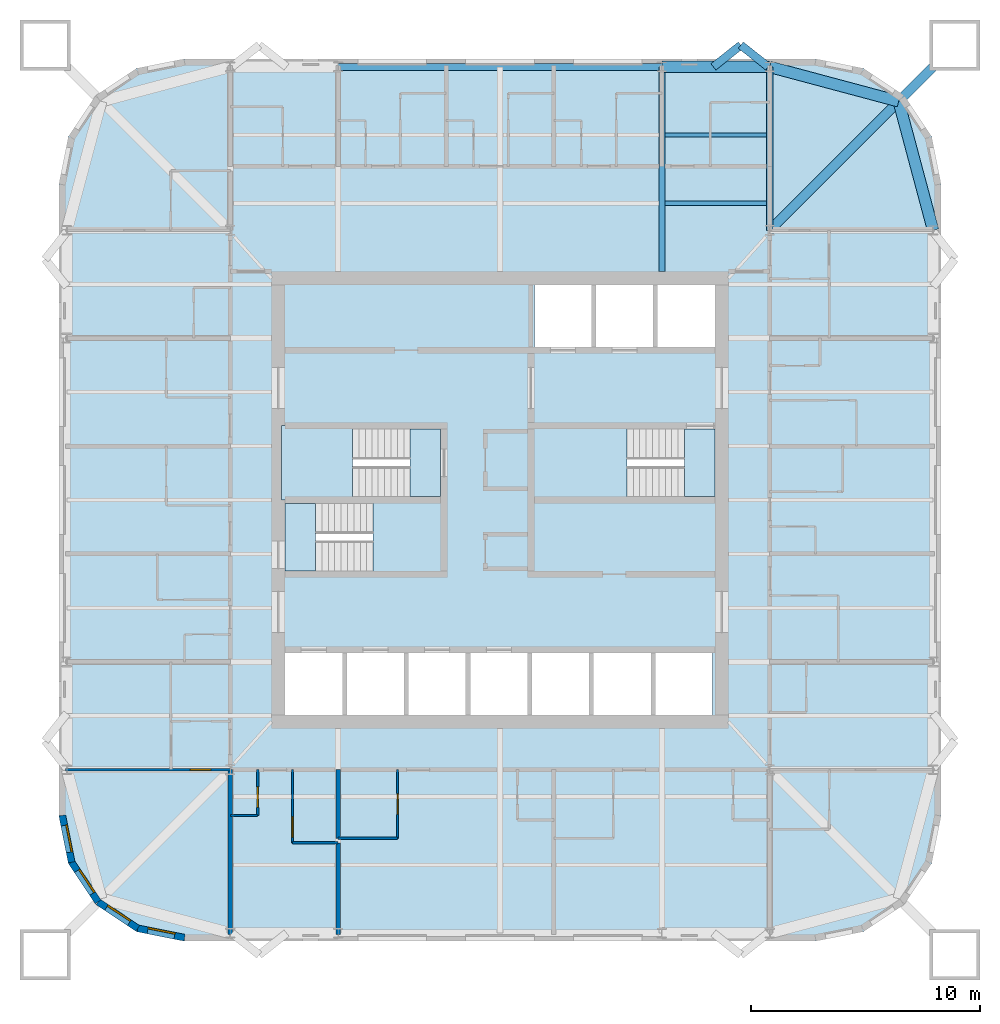
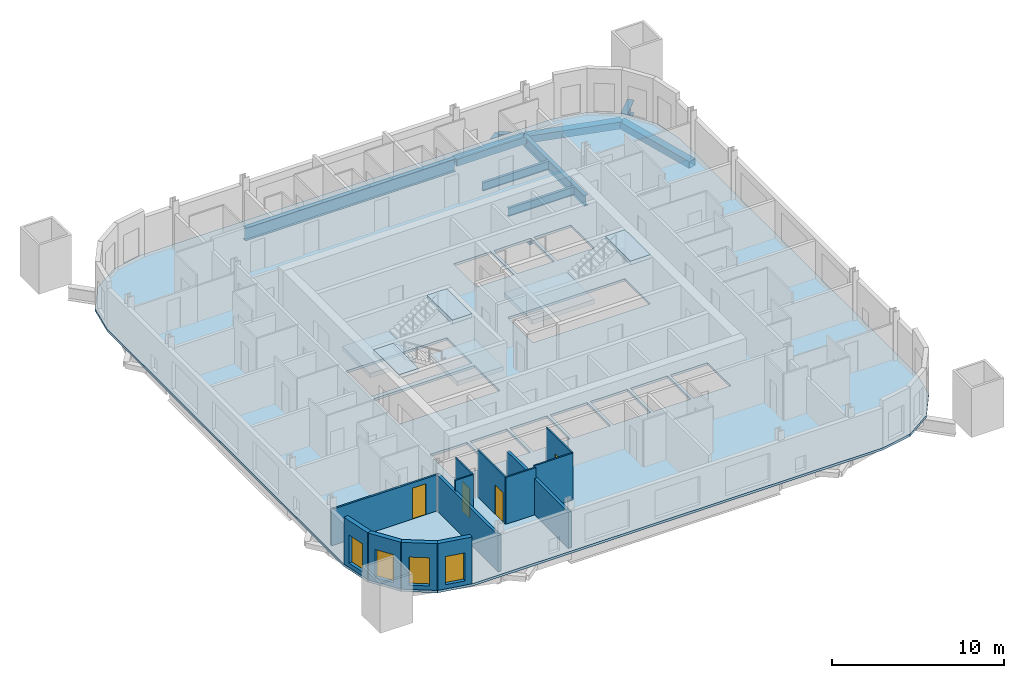
# One storey, part 2 of 9: 14 walls, 11 beams, 7 slabs, 4 doors, 4 windows, 8 openings, 3 elements without a shape of their own.
"""IFC4 building model written with IfcOpenShell, lengths in metres."""

import ifcopenshell
import ifcopenshell.guid

model = None  # the IFC model being written
_history = None  # IfcOwnerHistory: only IFC2X3 demands one
_inside = {}  # id of a spatial element -> (the spatial element, [elements in it])
_under = {}  # id of a project, library or spatial element -> (it, [spatial elements below it])
_declared = {}  # id of a project -> (the project, [libraries it declares])
_typed = {}  # id of a type object -> (the type object, [elements of that type])
_made_of = {}  # id of a material, layer set ... -> (it, [elements and type objects made of it])


def new_model(schema):
    """Start an empty IFC model of exactly this schema.

    Asked for "IFC4X3", IfcOpenShell would pick the latest addendum, in which some entities
    have other attributes; the version numbers below select the first issue.
    IFC2X3 requires an IfcOwnerHistory on every rooted entity: one is made here for all.
    """
    global model, _history
    if schema == "IFC4X3":
        model = ifcopenshell.file(schema_version=(4, 3, 0, 0))
    else:
        model = ifcopenshell.file(schema=schema)
    _inside.clear()
    _under.clear()
    _declared.clear()
    _typed.clear()
    _made_of.clear()
    _history = None
    if model.schema == "IFC2X3":
        org = make("IfcOrganization", Name="unknown")
        user = make(
            "IfcPersonAndOrganization",
            ThePerson=make("IfcPerson", FamilyName="unknown"),
            TheOrganization=org,
        )
        app = make(
            "IfcApplication",
            ApplicationDeveloper=org,
            Version="unknown",
            ApplicationFullName="unknown",
            ApplicationIdentifier="unknown",
        )
        _history = make(
            "IfcOwnerHistory",
            OwningUser=user,
            OwningApplication=app,
            ChangeAction="ADDED",
            CreationDate=0,
        )
    return model


def make(cls, **values):
    """One entity of the class cls with the attributes given. An attribute that is None is left unset."""
    return model.create_entity(
        cls, **{name: value for name, value in values.items() if value is not None}
    )


def rooted(cls, **values):
    """An entity with a GlobalId (a new one), such as an element, a storey or a relation."""
    return make(cls, GlobalId=ifcopenshell.guid.new(), OwnerHistory=_history, **values)


def si_unit(unit_type, name, prefix=None):
    """IfcSIUnit, for example si_unit("LENGTHUNIT", "METRE", prefix="MILLI")."""
    return make("IfcSIUnit", UnitType=unit_type, Prefix=prefix, Name=name)


def assignment(units):
    """IfcUnitAssignment: the units of a project."""
    return None if units is None else make("IfcUnitAssignment", Units=units)


def point(xyz):
    """IfcCartesianPoint."""
    return None if xyz is None else make("IfcCartesianPoint", Coordinates=xyz)


def direction(xyz):
    """IfcDirection."""
    return None if xyz is None else make("IfcDirection", DirectionRatios=xyz)


def frame(location, z_axis=None, x_axis=None):
    """IfcAxis2Placement3D, a coordinate frame: its origin and axes. An axis left out is left unset."""
    return make(
        "IfcAxis2Placement3D",
        Location=point(location),
        Axis=direction(z_axis),
        RefDirection=direction(x_axis),
    )


def frame_2d(location, x_axis=None):
    """IfcAxis2Placement2D, a coordinate frame in the plane: its origin and x axis."""
    return make(
        "IfcAxis2Placement2D", Location=point(location), RefDirection=direction(x_axis)
    )


def origin():
    """The frame at (0, 0, 0) with its axes left unset."""
    return frame((0.0, 0.0, 0.0))


def origin_2d():
    """The frame at (0, 0) in the plane with its x axis left unset."""
    return frame_2d((0.0, 0.0))


def place(relative_to, where):
    """IfcLocalPlacement: puts the frame where relative to a parent placement (None: the world)."""
    return make(
        "IfcLocalPlacement", PlacementRelTo=relative_to, RelativePlacement=where
    )


def context(
    kind, dimensions, precision=None, world=None, true_north=None, identifier=None
):
    """IfcGeometricRepresentationContext, for example the 3D "Model" context."""
    return make(
        "IfcGeometricRepresentationContext",
        ContextIdentifier=identifier,
        ContextType=kind,
        CoordinateSpaceDimension=dimensions,
        Precision=precision,
        WorldCoordinateSystem=world,
        TrueNorth=true_north,
    )


def subcontext(parent, identifier, kind, view, scale=None):
    """IfcGeometricRepresentationSubContext, for example "Body" below "Model"."""
    return make(
        "IfcGeometricRepresentationSubContext",
        ContextIdentifier=identifier,
        ContextType=kind,
        ParentContext=parent,
        TargetScale=scale,
        TargetView=view,
    )


def project(units=None, contexts=None):
    """IfcProject with its units and contexts."""
    return rooted(
        "IfcProject",
        Name="project",
        RepresentationContexts=contexts,
        UnitsInContext=assignment(units),
    )


def spatial(cls, under=None, at=None, **own):
    """A site, building, storey or space (cls), placed at a placement, below another one or the project."""
    s = rooted(cls, ObjectPlacement=at, **own)
    if under is not None:
        _under.setdefault(under.id(), (under, []))[1].append(s)
    return s


def polyline(points):
    """IfcPolyline through the points."""
    return make("IfcPolyline", Points=[point(p) for p in points])


def profile(cls, at=None, kind="AREA", **sizes):
    """A parametric profile (cls). Its sizes go by their IFC names, for example OverallWidth=200.0."""
    return make(cls, ProfileType=kind, Position=at, **sizes)


def rectangle(**sizes):
    """IfcRectangleProfileDef."""
    return profile("IfcRectangleProfileDef", **sizes)


def hollow_rectangle(**sizes):
    """IfcRectangleHollowProfileDef."""
    return profile("IfcRectangleHollowProfileDef", **sizes)


def i_section(**sizes):
    """IfcIShapeProfileDef."""
    return profile("IfcIShapeProfileDef", **sizes)


def outline(outer, holes=None, kind="AREA"):
    """IfcArbitraryClosedProfileDef: a profile drawn as a closed curve; with holes, ...WithVoids."""
    if holes is None:
        return make("IfcArbitraryClosedProfileDef", ProfileType=kind, OuterCurve=outer)
    return make(
        "IfcArbitraryProfileDefWithVoids",
        ProfileType=kind,
        OuterCurve=outer,
        InnerCurves=holes,
    )


def extrude(swept, where, along, depth):
    """IfcExtrudedAreaSolid: the profile swept, set in the frame where, extruded along a direction by depth."""
    return make(
        "IfcExtrudedAreaSolid",
        SweptArea=swept,
        Position=where,
        ExtrudedDirection=direction(along),
        Depth=depth,
    )


def shape(context_of_items, identifier, shape_type, items):
    """IfcShapeRepresentation: the items that make up one representation, for example the "Body"."""
    return make(
        "IfcShapeRepresentation",
        ContextOfItems=context_of_items,
        RepresentationIdentifier=identifier,
        RepresentationType=shape_type,
        Items=items,
    )


def material(Name=None, Category=None):
    """IfcMaterial."""
    return make("IfcMaterial", Name=Name, Category=Category)


def layer(
    of_material, thickness, ventilated=None, Name=None, Category=None, Priority=None
):
    """IfcMaterialLayer: one layer of a wall or slab, of a material (None: an air gap)."""
    return make(
        "IfcMaterialLayer",
        Material=of_material,
        LayerThickness=thickness,
        IsVentilated=ventilated,
        Name=Name,
        Category=Category,
        Priority=Priority,
    )


def layer_set(layers, Name=None):
    """IfcMaterialLayerSet."""
    return make("IfcMaterialLayerSet", MaterialLayers=layers, LayerSetName=Name)


def material_profile(
    of_material, cross_section, Name=None, Category=None, Priority=None
):
    """IfcMaterialProfile: a cross section and its material."""
    return make(
        "IfcMaterialProfile",
        Name=Name,
        Material=of_material,
        Profile=cross_section,
        Priority=Priority,
        Category=Category,
    )


def profile_set(profiles, Name=None, composite=None):
    """IfcMaterialProfileSet."""
    return make(
        "IfcMaterialProfileSet",
        Name=Name,
        MaterialProfiles=profiles,
        CompositeProfile=composite,
    )


def made_of(thing, what):
    """Note that an element or type object is made of a material, layer set ...; save() writes the relation."""
    if what is not None:
        _made_of.setdefault(what.id(), (what, []))[1].append(thing)
    return thing


def type_object(cls, material=None, **own):
    """A type object (cls), such as IfcWallType, which elements share."""
    return made_of(rooted(cls, **own), material)


def element(
    cls,
    number,
    at=None,
    inside=None,
    cuts=None,
    type_object=None,
    material=None,
    context=None,
    identifier="Body",
    shape_type=None,
    held_by="IfcProductDefinitionShape",
    body=None,
    shapes=None,
    **own,
):
    """One element of the class cls, such as IfcWall. Its Tag is "e" and its number.

    at: its placement. inside: the storey or other place that contains it. cuts: it is an
    opening in that element (IfcRelVoidsElement). A single representation is given by context,
    identifier, shape_type and body (its items); several are given by shapes. held_by: the class
    of the entity that holds the representations. save() writes the other relations.
    """
    e = rooted(cls, Tag="e%d" % number, ObjectPlacement=at, **own)
    if body is not None:
        shapes = [shape(context, identifier, shape_type, body)]
    if shapes is not None:
        e.Representation = make(held_by, Representations=shapes)
    if inside is not None:
        _inside.setdefault(inside.id(), (inside, []))[1].append(e)
    if cuts is not None:
        rooted(
            "IfcRelVoidsElement", RelatingBuildingElement=cuts, RelatedOpeningElement=e
        )
    if type_object is not None:
        _typed.setdefault(type_object.id(), (type_object, []))[1].append(e)
    return made_of(e, material)


def fill(opening, filler):
    """IfcRelFillsElement: the door or window that sits in an opening."""
    return rooted(
        "IfcRelFillsElement",
        RelatingOpeningElement=opening,
        RelatedBuildingElement=filler,
    )


def aggregate(whole, parts):
    """IfcRelAggregates: a whole, such as a stair, and the parts it consists of."""
    return rooted("IfcRelAggregates", RelatingObject=whole, RelatedObjects=parts)


def save(model, path):
    """Write the relations noted so far, then the file.

    IfcRelAggregates (storeys below a building ...), IfcRelContainedInSpatialStructure (elements
    in a storey), IfcRelDefinesByType, IfcRelAssociatesMaterial and IfcRelDeclares: one each for
    every whole, place, type object, material and project.
    """
    for whole, parts in _under.values():
        aggregate(whole, parts)
    for where, things in _inside.values():
        rooted(
            "IfcRelContainedInSpatialStructure",
            RelatedElements=things,
            RelatingStructure=where,
        )
    for kind, things in _typed.values():
        rooted("IfcRelDefinesByType", RelatedObjects=things, RelatingType=kind)
    for what, things in _made_of.values():
        rooted("IfcRelAssociatesMaterial", RelatedObjects=things, RelatingMaterial=what)
    for by, libraries in _declared.values():
        rooted("IfcRelDeclares", RelatingContext=by, RelatedDefinitions=libraries)
    model.write(path)


model = new_model("IFC4")

# Units and contexts
model_context = context("Model", 3, precision=1e-05, world=origin(), true_north=direction((0.0, 1.0)))
body_context = subcontext(model_context, "Body", "Model", "MODEL_VIEW")
ifc_project = project(units=[si_unit("LENGTHUNIT", "METRE"), si_unit("AREAUNIT", "SQUARE_METRE"), si_unit("VOLUMEUNIT", "CUBIC_METRE"), si_unit("PLANEANGLEUNIT", "RADIAN"), si_unit("MASSUNIT", "GRAM", prefix="KILO")], contexts=[model_context])

# Site, building, storey
site_placement = place(None, origin())
site = spatial("IfcSite", under=ifc_project, at=site_placement, CompositionType="ELEMENT")
building_placement = place(site_placement, origin())
building = spatial("IfcBuilding", under=site, at=building_placement, Name="Turquesa Mirador Hotel Tower", CompositionType="ELEMENT")
storey_placement = place(building_placement, frame((0.0, 0.0, 175.800048828125)))
storey = spatial("IfcBuildingStorey", under=building, at=storey_placement, Name="L47", CompositionType="ELEMENT", Elevation=175.800048828125)

# Beams
ifc_material_1 = material(Name="Steel ASTM A572 Grade 50", Category="steel")
ifc_material_profile_1 = material_profile(ifc_material_1, hollow_rectangle(XDim=0.5, YDim=0.5, WallThickness=0.01611328125, at=origin_2d()), Name="BOX500X500X16")
ifc_profile_set_1 = profile_set([ifc_material_profile_1], Name="Steel ASTM A572 Grade 50")
beam_type_1 = type_object("IfcBeamType", Name="BEAM BOX500X500X16", PredefinedType="BEAM", material=ifc_profile_set_1)
beam_1_placement = place(storey_placement, frame((62.080078125, 63.949951171875, -0.420166015625), z_axis=(1.0, 0.0, 0.0), x_axis=(0.0, 1.0, 0.0)))
element("IfcBeam", 1, at=beam_1_placement, inside=storey, type_object=beam_type_1, Name="EB-L47-N-R", PredefinedType="BEAM", context=body_context, shape_type="SweptSolid", body=[
    extrude(hollow_rectangle(XDim=0.5, YDim=0.5, WallThickness=0.01611328125, at=origin_2d()), origin(), (0.0, 0.0, 1.0), 4.719970703125),
])
for number, where, z_axis, x_axis, name in (
    (2, (73.949951171875, 56.800048828125, -0.420166015625), (-0.258281892145, 0.966069595935, 0.0), (-0.966069595935, -0.258281892145, 0.0), "KE-L47-1-0"),
    (3, (72.441650390625, 62.441650390625, -0.420166015625), (-0.966069595935, 0.258281892145, 0.0), (-0.258281892145, -0.966069595935, 0.0), "KE-L47-1-1"),
):
    element("IfcBeam", number, at=place(storey_placement, frame(where, z_axis=z_axis, x_axis=x_axis)), inside=storey, type_object=beam_type_1, Name=name, PredefinedType="BEAM", context=body_context, shape_type="SweptSolid", body=[
        extrude(hollow_rectangle(XDim=0.5, YDim=0.5, WallThickness=0.01611328125, at=origin_2d()), origin(), (0.0, 0.0, 1.0), 5.83984375),
    ])
ifc_material_2 = material(Name="Steel ASTM A992 Grade 50", Category="steel")
ifc_material_profile_2 = material_profile(ifc_material_2, i_section(OverallWidth=0.177978515625, OverallDepth=0.599365234375, WebThickness=0.010009765625, FlangeThickness=0.012939453125, at=origin_2d()), Name="W24X55")
ifc_profile_set_2 = profile_set([ifc_material_profile_2], Name="Steel ASTM A992 Grade 50")
beam_type_2 = type_object("IfcBeamType", Name="BEAM W24X55", PredefinedType="BEAM", material=ifc_profile_set_2)
for number, where, z_axis, x_axis, name in (
    (4, (62.21337890625, 57.98291015625, -0.4697265625), (1.0, 0.0, 0.0), (0.0, 1.0, 0.0), "IB-L47-N-1-3"),
    (5, (62.21337890625, 60.967041015625, -0.4697265625), (1.0, 0.0, 0.0), (0.0, 1.0, 0.0), "IB-L47-N-2-3"),
):
    element("IfcBeam", number, at=place(storey_placement, frame(where, z_axis=z_axis, x_axis=x_axis)), inside=storey, type_object=beam_type_2, Name=name, PredefinedType="BEAM", context=body_context, shape_type="SweptSolid", body=[
        extrude(i_section(OverallWidth=0.177978515625, OverallDepth=0.599365234375, WebThickness=0.010009765625, FlangeThickness=0.012939453125, at=origin_2d()), origin(), (0.0, 0.0, 1.0), 4.453369140625),
    ])
ifc_material_3 = material(Name="Steel ASTM A992 Grade 50", Category="steel")
ifc_material_profile_3 = material_profile(ifc_material_3, i_section(OverallWidth=0.2666015625, OverallDepth=0.7568359375, WebThickness=0.013916015625, FlangeThickness=0.019287109375, at=origin_2d()), Name="W30X108")
ifc_profile_set_3 = profile_set([ifc_material_profile_3], Name="Steel ASTM A992 Grade 50")
beam_type_3 = type_object("IfcBeamType", Name="BEAM W30X108", PredefinedType="BEAM", material=ifc_profile_set_3)
beam_2_placement = place(storey_placement, frame((62.080078125, 63.949951171875, -0.548583984375), z_axis=(0.0, -1.0, 0.0), x_axis=(1.0, 0.0, 0.0)))
element("IfcBeam", 6, at=beam_2_placement, inside=storey, type_object=beam_type_3, Name="GD-L47-N-+7.08", PredefinedType="BEAM", context=body_context, shape_type="SweptSolid", body=[
    extrude(i_section(OverallWidth=0.2666015625, OverallDepth=0.7568359375, WebThickness=0.013916015625, FlangeThickness=0.019287109375, at=origin_2d()), origin(), (0.0, 0.0, 1.0), 8.949951171875),
])
beam_3_placement = place(storey_placement, frame((66.800048828125, 63.949951171875, -0.548583984375), z_axis=(0.0, -1.0, 0.0), x_axis=(1.0, 0.0, 0.0)))
element("IfcBeam", 7, at=beam_3_placement, inside=storey, type_object=beam_type_3, Name="GK-L47-N-+11.80", PredefinedType="BEAM", context=body_context, shape_type="SweptSolid", body=[
    extrude(i_section(OverallWidth=0.2666015625, OverallDepth=0.7568359375, WebThickness=0.013916015625, FlangeThickness=0.019287109375, at=origin_2d()), origin(), (0.0, 0.0, 1.0), 7.14990234375),
])
ifc_material_4 = material(Name="Steel ASTM A992 Grade 50", Category="steel")
ifc_material_profile_4 = material_profile(ifc_material_4, i_section(OverallWidth=0.3046875, OverallDepth=0.911865234375, WebThickness=0.015869140625, FlangeThickness=0.02392578125, at=origin_2d()), Name="W36X150")
ifc_profile_set_4 = profile_set([ifc_material_profile_4], Name="Steel ASTM A992 Grade 50")
beam_type_4 = type_object("IfcBeamType", Name="BEAM W36X150", PredefinedType="BEAM", material=ifc_profile_set_4)
beam_4_placement = place(storey_placement, frame((47.919921875, 63.949951171875, -0.6259765625), z_axis=(1.0, 0.0, 0.0), x_axis=(0.0, 1.0, 0.0)))
element("IfcBeam", 8, at=beam_4_placement, inside=storey, type_object=beam_type_4, Name="EB-L47-N-C", PredefinedType="BEAM", context=body_context, shape_type="SweptSolid", body=[
    extrude(i_section(OverallWidth=0.3046875, OverallDepth=0.911865234375, WebThickness=0.015869140625, FlangeThickness=0.02392578125, at=origin_2d()), origin(), (0.0, 0.0, 1.0), 14.16015625),
])
ifc_material_5 = material(Name="Steel ASTM A992 Grade 50", Category="steel")
ifc_material_profile_5 = material_profile(ifc_material_5, i_section(OverallWidth=0.419189453125, OverallDepth=0.927001953125, WebThickness=0.019287109375, FlangeThickness=0.031982421875, at=origin_2d()), Name="W36X231")
ifc_profile_set_5 = profile_set([ifc_material_profile_5], Name="Steel ASTM A992 Grade 50")
beam_type_5 = type_object("IfcBeamType", Name="BEAM W36X231", PredefinedType="BEAM", material=ifc_profile_set_5)
beam_5_placement = place(storey_placement, frame((66.800048828125, 56.800048828125, -0.633544921875), z_axis=(0.707106781187, 0.707106781187, 0.0), x_axis=(-0.707106781187, 0.707106781187, 0.0)))
element("IfcBeam", 9, at=beam_5_placement, inside=storey, type_object=beam_type_5, Name="KD-L47-1", PredefinedType="BEAM", context=body_context, shape_type="SweptSolid", body=[
    extrude(i_section(OverallWidth=0.419189453125, OverallDepth=0.927001953125, WebThickness=0.019287109375, FlangeThickness=0.031982421875, at=origin_2d()), origin(), (0.0, 0.0, 1.0), 10.080322265625),
])
ifc_material_6 = material(Name="Steel ASTM A500 Grade C", Category="steel")
ifc_material_profile_6 = material_profile(ifc_material_6, hollow_rectangle(XDim=0.355712890625, YDim=0.355712890625, WallThickness=0.0146484375, at=origin_2d()), Name="HSS14X14X5/8")
ifc_profile_set_6 = profile_set([ifc_material_profile_6], Name="Steel ASTM A500 Grade C")
beam_type_6 = type_object("IfcBeamType", Name="BRACE STRUT HSS14X14X5/8", PredefinedType="BEAM", material=ifc_profile_set_6)
beam_6_placement = place(storey_placement, frame((65.535400390625, 64.89990234375, -0.347900390625), z_axis=(-0.784110506071, -0.620621232531, 0.0), x_axis=(0.620621232531, -0.784110506071, 0.0)))
element("IfcBeam", 10, at=beam_6_placement, inside=storey, type_object=beam_type_6, Name="Brace strut", PredefinedType="BEAM", context=body_context, shape_type="SweptSolid", body=[
    extrude(hollow_rectangle(XDim=0.355712890625, YDim=0.355712890625, WallThickness=0.0146484375, at=origin_2d()), origin(), (0.0, 0.0, 1.0), 1.53076171875),
])
beam_7_placement = place(storey_placement, frame((65.535400390625, 64.89990234375, -0.347900390625), z_axis=(0.784049059149, -0.620698858423, 0.0), x_axis=(0.620698858423, 0.784049059149, 0.0)))
element("IfcBeam", 11, at=beam_7_placement, inside=storey, type_object=beam_type_6, Name="Brace strut", PredefinedType="BEAM", context=body_context, shape_type="SweptSolid", body=[
    extrude(hollow_rectangle(XDim=0.355712890625, YDim=0.355712890625, WallThickness=0.0146484375, at=origin_2d()), origin(), (0.0, 0.0, 1.0), 1.530517578125),
])

# Slab
ifc_material_7 = material(Name="Concrete C28/35", Category="concrete")
ifc_layer_1 = layer(ifc_material_7, 0.169921875)
ifc_layer_set_1 = layer_set([ifc_layer_1], Name="COMPOSITE FLOOR SLAB 170")
slab_type_1 = type_object("IfcSlabType", Name="COMPOSITE FLOOR SLAB 170", PredefinedType="FLOOR", material=ifc_layer_set_1)
slab_1_placement = place(storey_placement, frame((0.0, 0.0, -0.170166015625)))
element("IfcSlab", 12, at=slab_1_placement, inside=storey, type_object=slab_type_1, Name="Floor slab L47", PredefinedType="FLOOR", context=body_context, shape_type="SweptSolid", body=[
    extrude(outline(polyline([(68.800048828125, 25.699951171875), (70.90478515625, 26.11865234375), (72.689208984375, 27.310791015625), (73.88134765625, 29.09521484375), (74.300048828125, 31.199951171875), (74.300048828125, 58.800048828125), (73.88134765625, 60.90478515625), (72.689208984375, 62.689208984375), (70.90478515625, 63.88134765625), (68.800048828125, 64.300048828125), (41.199951171875, 64.300048828125), (39.09521484375, 63.88134765625), (37.310791015625, 62.689208984375), (36.11865234375, 60.90478515625), (35.699951171875, 58.800048828125), (35.699951171875, 31.199951171875), (36.11865234375, 29.09521484375), (37.310791015625, 27.310791015625), (39.09521484375, 26.11865234375), (41.199951171875, 25.699951171875), (68.800048828125, 25.699951171875)]), holes=[polyline([(56.5, 51.699951171875), (59.0, 51.699951171875), (59.0, 54.39990234375), (56.5, 54.39990234375), (56.5, 51.699951171875)]), polyline([(59.199951171875, 51.699951171875), (61.699951171875, 51.699951171875), (61.699951171875, 54.39990234375), (59.199951171875, 54.39990234375), (59.199951171875, 51.699951171875)]), polyline([(45.60009765625, 35.60009765625), (48.10009765625, 35.60009765625), (48.10009765625, 38.300048828125), (45.60009765625, 38.300048828125), (45.60009765625, 35.60009765625)]), polyline([(48.300048828125, 35.60009765625), (50.800048828125, 35.60009765625), (50.800048828125, 38.300048828125), (48.300048828125, 38.300048828125), (48.300048828125, 35.60009765625)]), polyline([(51.0, 35.60009765625), (53.5, 35.60009765625), (53.5, 38.300048828125), (51.0, 38.300048828125), (51.0, 35.60009765625)]), polyline([(53.699951171875, 35.60009765625), (56.199951171875, 35.60009765625), (56.199951171875, 38.300048828125), (53.699951171875, 38.300048828125), (53.699951171875, 35.60009765625)]), polyline([(56.39990234375, 35.60009765625), (58.89990234375, 35.60009765625), (58.89990234375, 38.300048828125), (56.39990234375, 38.300048828125), (56.39990234375, 35.60009765625)]), polyline([(59.10009765625, 35.60009765625), (61.60009765625, 35.60009765625), (61.60009765625, 38.300048828125), (59.10009765625, 38.300048828125), (59.10009765625, 35.60009765625)]), polyline([(61.800048828125, 35.60009765625), (64.300048828125, 35.60009765625), (64.300048828125, 38.300048828125), (61.800048828125, 38.300048828125), (61.800048828125, 35.60009765625)]), polyline([(45.60009765625, 45.14990234375), (52.39990234375, 45.14990234375), (52.39990234375, 48.10009765625), (45.60009765625, 48.10009765625), (45.60009765625, 45.14990234375)]), polyline([(45.60009765625, 41.89990234375), (52.39990234375, 41.89990234375), (52.39990234375, 44.85009765625), (45.60009765625, 44.85009765625), (45.60009765625, 41.89990234375)]), polyline([(56.5, 45.14990234375), (64.39990234375, 45.14990234375), (64.39990234375, 48.10009765625), (56.5, 48.10009765625), (56.5, 45.14990234375)]), polyline([(61.89990234375, 51.699951171875), (64.39990234375, 51.699951171875), (64.39990234375, 54.39990234375), (61.89990234375, 54.39990234375), (61.89990234375, 51.699951171875)])]), origin(), (0.0, 0.0, 1.0), 0.170166015625),
])

# Stair, slabs
ifc_material_8 = material(Name="Concrete C35/45", Category="concrete")
stair_type = type_object("IfcStairType", Name="ESCAPE STAIR CORE", PredefinedType="HALF_TURN_STAIR", material=ifc_material_8)
stair_1_placement = place(storey_placement, origin())
stair_1 = element("IfcStair", 13, at=stair_1_placement, inside=storey, type_object=stair_type, Name="Stair ST1 L47 to L48", PredefinedType="HALF_TURN_STAIR")
ifc_material_9 = material(Name="Concrete C35/45", Category="concrete")
ifc_layer_2 = layer(ifc_material_9, 0.300048828125)
ifc_layer_set_2 = layer_set([ifc_layer_2], Name="STAIR LANDING 300")
slab_type_2 = type_object("IfcSlabType", Name="STAIR LANDING 300", PredefinedType="LANDING", material=ifc_layer_set_2)
slab_2_placement = place(storey_placement, frame((0.0, 0.0, 1.449951171875)))
slab_2 = element("IfcSlab", 14, at=slab_2_placement, type_object=slab_type_2, Name="ST1 landing 1", PredefinedType="LANDING", context=body_context, shape_type="SweptSolid", body=[
    extrude(outline(polyline([(45.449951171875, 45.0), (48.550048828125, 45.0), (48.550048828125, 48.25), (45.449951171875, 48.25), (45.449951171875, 45.0)])), origin(), (0.0, 0.0, 1.0), 0.300048828125),
])
slab_3_placement = place(storey_placement, frame((0.0, 0.0, 3.199951171875)))
slab_3 = element("IfcSlab", 15, at=slab_3_placement, type_object=slab_type_2, Name="ST1 landing 2", PredefinedType="LANDING", context=body_context, shape_type="SweptSolid", body=[
    extrude(outline(polyline([(51.070068359375, 45.14990234375), (52.39990234375, 45.14990234375), (52.39990234375, 48.10009765625), (51.070068359375, 48.10009765625), (51.070068359375, 45.14990234375)])), origin(), (0.0, 0.0, 1.0), 0.300048828125),
])
aggregate(stair_1, [slab_2, slab_3])

stair_2_placement = place(storey_placement, origin())
stair_2 = element("IfcStair", 16, at=stair_2_placement, inside=storey, type_object=stair_type, Name="Stair ST2 L47 to L48", PredefinedType="HALF_TURN_STAIR")
slab_4_placement = place(storey_placement, frame((0.0, 0.0, 1.449951171875)))
slab_4 = element("IfcSlab", 17, at=slab_4_placement, type_object=slab_type_2, Name="ST2 landing 1", PredefinedType="LANDING", context=body_context, shape_type="SweptSolid", body=[
    extrude(outline(polyline([(52.550048828125, 45.0), (49.449951171875, 45.0), (49.449951171875, 41.75), (52.550048828125, 41.75), (52.550048828125, 45.0)])), origin(), (0.0, 0.0, 1.0), 0.300048828125),
])
slab_5_placement = place(storey_placement, frame((0.0, 0.0, 3.199951171875)))
slab_5 = element("IfcSlab", 18, at=slab_5_placement, type_object=slab_type_2, Name="ST2 landing 2", PredefinedType="LANDING", context=body_context, shape_type="SweptSolid", body=[
    extrude(outline(polyline([(46.929931640625, 44.85009765625), (45.60009765625, 44.85009765625), (45.60009765625, 41.89990234375), (46.929931640625, 41.89990234375), (46.929931640625, 44.85009765625)])), origin(), (0.0, 0.0, 1.0), 0.300048828125),
])
aggregate(stair_2, [slab_4, slab_5])

stair_3_placement = place(storey_placement, origin())
stair_3 = element("IfcStair", 19, at=stair_3_placement, inside=storey, type_object=stair_type, Name="Stair ST3 L47 to L48", PredefinedType="HALF_TURN_STAIR")
slab_6_placement = place(storey_placement, frame((0.0, 0.0, 1.449951171875)))
slab_6 = element("IfcSlab", 20, at=slab_6_placement, type_object=slab_type_2, Name="ST3 landing 1", PredefinedType="LANDING", context=body_context, shape_type="SweptSolid", body=[
    extrude(outline(polyline([(56.35009765625, 45.0), (60.550048828125, 45.0), (60.550048828125, 48.25), (56.35009765625, 48.25), (56.35009765625, 45.0)])), origin(), (0.0, 0.0, 1.0), 0.300048828125),
])
slab_7_placement = place(storey_placement, frame((0.0, 0.0, 3.199951171875)))
slab_7 = element("IfcSlab", 21, at=slab_7_placement, type_object=slab_type_2, Name="ST3 landing 2", PredefinedType="LANDING", context=body_context, shape_type="SweptSolid", body=[
    extrude(outline(polyline([(63.070068359375, 45.14990234375), (64.39990234375, 45.14990234375), (64.39990234375, 48.10009765625), (63.070068359375, 48.10009765625), (63.070068359375, 45.14990234375)])), origin(), (0.0, 0.0, 1.0), 0.300048828125),
])
aggregate(stair_3, [slab_6, slab_7])

# Walls
ifc_material_10 = material(Name="Gypsum board on steel studs", Category="steel")
ifc_layer_3 = layer(ifc_material_10, 0.10009765625)
ifc_layer_set_3 = layer_set([ifc_layer_3], Name="BATHROOM WALL 100")
wall_type_1 = type_object("IfcWallType", Name="BATHROOM WALL 100", PredefinedType="PARTITIONING", material=ifc_layer_set_3)
wall_1_placement = place(storey_placement, frame((43.199951171875, 31.199951171875, 0.0), z_axis=(0.0, 0.0, 1.0), x_axis=(1.0, 0.0, 0.0)))
element("IfcWall", 22, at=wall_1_placement, inside=storey, type_object=wall_type_1, Name="Partition L47 007", PredefinedType="PARTITIONING", context=body_context, shape_type="SweptSolid", body=[
    extrude(rectangle(XDim=1.199951171875, YDim=0.10009765625, at=frame_2d((0.60009765625, 0.0))), origin(), (0.0, 0.0, 1.0), 3.329833984375),
])
wall_2_placement = place(storey_placement, frame((47.919921875, 30.199951171875, 0.0), z_axis=(0.0, 0.0, 1.0), x_axis=(1.0, 0.0, 0.0)))
element("IfcWall", 23, at=wall_2_placement, inside=storey, type_object=wall_type_1, Name="Partition L47 011", PredefinedType="PARTITIONING", context=body_context, shape_type="SweptSolid", body=[
    extrude(rectangle(XDim=2.60009765625, YDim=0.10009765625, at=frame_2d((1.300048828125, 0.0))), origin(), (0.0, 0.0, 1.0), 3.329833984375),
])
wall_3_placement = place(storey_placement, frame((45.919921875, 30.0, 0.0), z_axis=(0.0, 0.0, 1.0), x_axis=(1.0, 0.0, 0.0)))
element("IfcWall", 24, at=wall_3_placement, inside=storey, type_object=wall_type_1, Name="Partition L47 013", PredefinedType="PARTITIONING", context=body_context, shape_type="SweptSolid", body=[
    extrude(rectangle(XDim=2.0, YDim=0.10009765625, at=frame_2d((1.0, 0.0))), origin(), (0.0, 0.0, 1.0), 3.329833984375),
])

# Wall, opening, door
wall_4_placement = place(storey_placement, frame((44.39990234375, 31.199951171875, 0.0), z_axis=(0.0, 0.0, 1.0), x_axis=(0.0, 1.0, 0.0)))
wall_4 = element("IfcWall", 25, at=wall_4_placement, inside=storey, type_object=wall_type_1, Name="Partition L47 049", PredefinedType="PARTITIONING", context=body_context, shape_type="SweptSolid", body=[
    extrude(rectangle(XDim=2.0, YDim=0.10009765625, at=frame_2d((1.0, 0.0))), origin(), (0.0, 0.0, 1.0), 3.329833984375),
])
opening_1_placement = place(wall_4_placement, frame((0.35009765625, 0.0, 0.0)))
opening_1 = element("IfcOpeningElement", 26, at=opening_1_placement, cuts=wall_4, Name="Opening D06", PredefinedType="OPENING", context=body_context, shape_type="SweptSolid", body=[
    extrude(rectangle(XDim=0.89990234375, YDim=2.10009765625, at=frame_2d((0.449951171875, 1.050048828125))), frame((0.0, 0.06005859375, 0.0), z_axis=(0.0, -1.0, 0.0), x_axis=(1.0, 0.0, 0.0)), (0.0, 0.0, 1.0), 0.1201171875),
])
ifc_material_11 = material(Name="Laminate door", Category="wood")
door_type_1 = type_object("IfcDoorType", Name="DOOR 900X2100 WC", OperationType="SINGLE_SWING_LEFT", PredefinedType="DOOR", material=ifc_material_11)
door_1_placement = place(opening_1_placement, origin())
door_1 = element("IfcDoor", 27, at=door_1_placement, inside=storey, type_object=door_type_1, Name="Door 4706W", OperationType="SINGLE_SWING_LEFT", OverallHeight=2.10009765625, OverallWidth=0.89990234375, PredefinedType="DOOR", context=body_context, shape_type="SweptSolid", body=[
    extrude(rectangle(XDim=0.89990234375, YDim=2.10009765625, at=frame_2d((0.449951171875, 1.050048828125))), frame((0.0, 0.02490234375, 0.0), z_axis=(0.0, -1.0, 0.0), x_axis=(1.0, 0.0, 0.0)), (0.0, 0.0, 1.0), 0.050048828125),
])
fill(opening_1, door_1)

wall_5_placement = place(storey_placement, frame((50.52001953125, 30.199951171875, 0.0), z_axis=(0.0, 0.0, 1.0), x_axis=(0.0, 1.0, 0.0)))
wall_5 = element("IfcWall", 28, at=wall_5_placement, inside=storey, type_object=wall_type_1, Name="Partition L47 063", PredefinedType="PARTITIONING", context=body_context, shape_type="SweptSolid", body=[
    extrude(rectangle(XDim=3.0, YDim=0.10009765625, at=frame_2d((1.5, 0.0))), origin(), (0.0, 0.0, 1.0), 3.329833984375),
])
opening_2_placement = place(wall_5_placement, frame((1.050048828125, 0.0, 0.0)))
opening_2 = element("IfcOpeningElement", 29, at=opening_2_placement, cuts=wall_5, Name="Opening D02", PredefinedType="OPENING", context=body_context, shape_type="SweptSolid", body=[
    extrude(rectangle(XDim=0.89990234375, YDim=2.10009765625, at=frame_2d((0.449951171875, 1.050048828125))), frame((0.0, 0.06005859375, 0.0), z_axis=(0.0, -1.0, 0.0), x_axis=(1.0, 0.0, 0.0)), (0.0, 0.0, 1.0), 0.1201171875),
])
ifc_material_12 = material(Name="Timber veneered door", Category="wood")
door_type_2 = type_object("IfcDoorType", Name="DOOR 900X2100 EN-SUITE", OperationType="SINGLE_SWING_RIGHT", PredefinedType="DOOR", material=ifc_material_12)
door_2_placement = place(opening_2_placement, origin())
door_2 = element("IfcDoor", 30, at=door_2_placement, inside=storey, type_object=door_type_2, Name="Door 4707B", OperationType="SINGLE_SWING_RIGHT", OverallHeight=2.10009765625, OverallWidth=0.89990234375, PredefinedType="DOOR", context=body_context, shape_type="SweptSolid", body=[
    extrude(rectangle(XDim=0.89990234375, YDim=2.10009765625, at=frame_2d((0.449951171875, 1.050048828125))), frame((0.0, 0.02490234375, 0.0), z_axis=(0.0, -1.0, 0.0), x_axis=(1.0, 0.0, 0.0)), (0.0, 0.0, 1.0), 0.050048828125),
])
fill(opening_2, door_2)

wall_6_placement = place(storey_placement, frame((45.919921875, 30.0, 0.0), z_axis=(0.0, 0.0, 1.0), x_axis=(0.0, 1.0, 0.0)))
wall_6 = element("IfcWall", 31, at=wall_6_placement, inside=storey, type_object=wall_type_1, Name="Partition L47 068", PredefinedType="PARTITIONING", context=body_context, shape_type="SweptSolid", body=[
    extrude(rectangle(XDim=3.199951171875, YDim=0.10009765625, at=frame_2d((1.60009765625, 0.0))), origin(), (0.0, 0.0, 1.0), 3.329833984375),
])
opening_3_placement = place(wall_6_placement, frame((0.25, 0.0, 0.0)))
opening_3 = element("IfcOpeningElement", 32, at=opening_3_placement, cuts=wall_6, Name="Opening D02", PredefinedType="OPENING", context=body_context, shape_type="SweptSolid", body=[
    extrude(rectangle(XDim=0.89990234375, YDim=2.10009765625, at=frame_2d((0.449951171875, 1.050048828125))), frame((0.0, 0.06005859375, 0.0), z_axis=(0.0, -1.0, 0.0), x_axis=(1.0, 0.0, 0.0)), (0.0, 0.0, 1.0), 0.1201171875),
])
door_3_placement = place(opening_3_placement, origin())
door_3 = element("IfcDoor", 33, at=door_3_placement, inside=storey, type_object=door_type_2, Name="Door 4706B", OperationType="SINGLE_SWING_RIGHT", OverallHeight=2.10009765625, OverallWidth=0.89990234375, PredefinedType="DOOR", context=body_context, shape_type="SweptSolid", body=[
    extrude(rectangle(XDim=0.89990234375, YDim=2.10009765625, at=frame_2d((0.449951171875, 1.050048828125))), frame((0.0, 0.02490234375, 0.0), z_axis=(0.0, -1.0, 0.0), x_axis=(1.0, 0.0, 0.0)), (0.0, 0.0, 1.0), 0.050048828125),
])
fill(opening_3, door_3)

# Wall, opening, window
ifc_material_13 = material(Name="Limestone cladding on concrete block", Category="masonry")
ifc_layer_4 = layer(ifc_material_13, 0.300048828125)
ifc_layer_set_4 = layer_set([ifc_layer_4], Name="FACADE WALL 300 STONE SCREEN")
wall_type_2 = type_object("IfcWallType", Name="FACADE WALL 300 STONE SCREEN", PredefinedType="SOLIDWALL", material=ifc_layer_set_4)
wall_7_placement = place(storey_placement, frame((35.85009765625, 31.199951171875, 0.0), z_axis=(0.0, 0.0, 1.0), x_axis=(0.195081421501, -0.980787050784, 0.0)))
wall_7 = element("IfcWall", 34, at=wall_7_placement, inside=storey, type_object=wall_type_2, Name="Facade wall L47 15", PredefinedType="SOLIDWALL", context=body_context, shape_type="SweptSolid", body=[
    extrude(rectangle(XDim=2.08740234375, YDim=0.300048828125, at=frame_2d((1.043701171875, 0.0))), origin(), (0.0, 0.0, 1.0), 3.329833984375),
])
opening_4_placement = place(wall_7_placement, frame((0.443603515625, 0.0, 0.300048828125)))
opening_4 = element("IfcOpeningElement", 35, at=opening_4_placement, cuts=wall_7, Name="Opening WN4", PredefinedType="OPENING", context=body_context, shape_type="SweptSolid", body=[
    extrude(rectangle(XDim=1.199951171875, YDim=2.0, at=frame_2d((0.60009765625, 1.0))), frame((0.0, 0.159912109375, 0.0), z_axis=(0.0, -1.0, 0.0), x_axis=(1.0, 0.0, 0.0)), (0.0, 0.0, 1.0), 0.320068359375),
])
ifc_material_14 = material(Name="Ceramic-fritted laminated glass", Category="glass")
window_type = type_object("IfcWindowType", Name="FRITTED CORNER WINDOW 1200X2000", PartitioningType="DOUBLE_PANEL_HORIZONTAL", PredefinedType="WINDOW", material=ifc_material_14)
window_1_placement = place(opening_4_placement, origin())
window_1 = element("IfcWindow", 36, at=window_1_placement, inside=storey, type_object=window_type, Name="Window L47", OverallHeight=2.0, OverallWidth=1.199951171875, PartitioningType="SINGLE_PANEL", PredefinedType="WINDOW", context=body_context, shape_type="SweptSolid", body=[
    extrude(rectangle(XDim=1.199951171875, YDim=2.0, at=frame_2d((0.60009765625, 1.0))), frame((0.0, 0.130126953125, 0.0), z_axis=(0.0, -1.0, 0.0), x_axis=(1.0, 0.0, 0.0)), (0.0, 0.0, 1.0), 0.06005859375),
])
fill(opening_4, window_1)

wall_8_placement = place(storey_placement, frame((36.25732421875, 29.152587890625, 0.0), z_axis=(0.0, 0.0, 1.0), x_axis=(0.555563607591, -0.831474039234, 0.0)))
wall_8 = element("IfcWall", 37, at=wall_8_placement, inside=storey, type_object=wall_type_2, Name="Facade wall L47 16", PredefinedType="SOLIDWALL", context=body_context, shape_type="SweptSolid", body=[
    extrude(rectangle(XDim=2.08740234375, YDim=0.300048828125, at=frame_2d((1.043701171875, 0.0))), origin(), (0.0, 0.0, 1.0), 3.329833984375),
])
opening_5_placement = place(wall_8_placement, frame((0.443603515625, 0.0, 0.300048828125)))
opening_5 = element("IfcOpeningElement", 38, at=opening_5_placement, cuts=wall_8, Name="Opening WN4", PredefinedType="OPENING", context=body_context, shape_type="SweptSolid", body=[
    extrude(rectangle(XDim=1.199951171875, YDim=2.0, at=frame_2d((0.60009765625, 1.0))), frame((0.0, 0.159912109375, 0.0), z_axis=(0.0, -1.0, 0.0), x_axis=(1.0, 0.0, 0.0)), (0.0, 0.0, 1.0), 0.320068359375),
])
window_2_placement = place(opening_5_placement, origin())
window_2 = element("IfcWindow", 39, at=window_2_placement, inside=storey, type_object=window_type, Name="Window L47", OverallHeight=2.0, OverallWidth=1.199951171875, PartitioningType="SINGLE_PANEL", PredefinedType="WINDOW", context=body_context, shape_type="SweptSolid", body=[
    extrude(rectangle(XDim=1.199951171875, YDim=2.0, at=frame_2d((0.60009765625, 1.0))), frame((0.0, 0.130126953125, 0.0), z_axis=(0.0, -1.0, 0.0), x_axis=(1.0, 0.0, 0.0)), (0.0, 0.0, 1.0), 0.06005859375),
])
fill(opening_5, window_2)

wall_9_placement = place(storey_placement, frame((37.4169921875, 27.4169921875, 0.0), z_axis=(0.0, 0.0, 1.0), x_axis=(0.831474039234, -0.555563607591, 0.0)))
wall_9 = element("IfcWall", 40, at=wall_9_placement, inside=storey, type_object=wall_type_2, Name="Facade wall L47 17", PredefinedType="SOLIDWALL", context=body_context, shape_type="SweptSolid", body=[
    extrude(rectangle(XDim=2.08740234375, YDim=0.300048828125, at=frame_2d((1.043701171875, 0.0))), origin(), (0.0, 0.0, 1.0), 3.329833984375),
])
opening_6_placement = place(wall_9_placement, frame((0.443603515625, 0.0, 0.300048828125)))
opening_6 = element("IfcOpeningElement", 41, at=opening_6_placement, cuts=wall_9, Name="Opening WN4", PredefinedType="OPENING", context=body_context, shape_type="SweptSolid", body=[
    extrude(rectangle(XDim=1.199951171875, YDim=2.0, at=frame_2d((0.60009765625, 1.0))), frame((0.0, 0.159912109375, 0.0), z_axis=(0.0, -1.0, 0.0), x_axis=(1.0, 0.0, 0.0)), (0.0, 0.0, 1.0), 0.320068359375),
])
window_3_placement = place(opening_6_placement, origin())
window_3 = element("IfcWindow", 42, at=window_3_placement, inside=storey, type_object=window_type, Name="Window L47", OverallHeight=2.0, OverallWidth=1.199951171875, PartitioningType="SINGLE_PANEL", PredefinedType="WINDOW", context=body_context, shape_type="SweptSolid", body=[
    extrude(rectangle(XDim=1.199951171875, YDim=2.0, at=frame_2d((0.60009765625, 1.0))), frame((0.0, 0.130126953125, 0.0), z_axis=(0.0, -1.0, 0.0), x_axis=(1.0, 0.0, 0.0)), (0.0, 0.0, 1.0), 0.06005859375),
])
fill(opening_6, window_3)

wall_10_placement = place(storey_placement, frame((39.152587890625, 26.25732421875, 0.0), z_axis=(0.0, 0.0, 1.0), x_axis=(0.980787050784, -0.195081421501, 0.0)))
wall_10 = element("IfcWall", 43, at=wall_10_placement, inside=storey, type_object=wall_type_2, Name="Facade wall L47 18", PredefinedType="SOLIDWALL", context=body_context, shape_type="SweptSolid", body=[
    extrude(rectangle(XDim=2.08740234375, YDim=0.300048828125, at=frame_2d((1.043701171875, 0.0))), origin(), (0.0, 0.0, 1.0), 3.329833984375),
])
opening_7_placement = place(wall_10_placement, frame((0.443603515625, 0.0, 0.300048828125)))
opening_7 = element("IfcOpeningElement", 44, at=opening_7_placement, cuts=wall_10, Name="Opening WN4", PredefinedType="OPENING", context=body_context, shape_type="SweptSolid", body=[
    extrude(rectangle(XDim=1.199951171875, YDim=2.0, at=frame_2d((0.60009765625, 1.0))), frame((0.0, 0.159912109375, 0.0), z_axis=(0.0, -1.0, 0.0), x_axis=(1.0, 0.0, 0.0)), (0.0, 0.0, 1.0), 0.320068359375),
])
window_4_placement = place(opening_7_placement, origin())
window_4 = element("IfcWindow", 45, at=window_4_placement, inside=storey, type_object=window_type, Name="Window L47", OverallHeight=2.0, OverallWidth=1.199951171875, PartitioningType="SINGLE_PANEL", PredefinedType="WINDOW", context=body_context, shape_type="SweptSolid", body=[
    extrude(rectangle(XDim=1.199951171875, YDim=2.0, at=frame_2d((0.60009765625, 1.0))), frame((0.0, 0.130126953125, 0.0), z_axis=(0.0, -1.0, 0.0), x_axis=(1.0, 0.0, 0.0)), (0.0, 0.0, 1.0), 0.06005859375),
])
fill(opening_7, window_4)

# Walls
ifc_material_15 = material(Name="Fire-rated gypsum board on steel studs", Category="steel")
ifc_layer_5 = layer(ifc_material_15, 0.199951171875)
ifc_layer_set_5 = layer_set([ifc_layer_5], Name="PARTY WALL 200")
wall_type_3 = type_object("IfcWallType", Name="PARTY WALL 200", PredefinedType="PARTITIONING", material=ifc_layer_set_5)
wall_11_placement = place(storey_placement, frame((43.199951171875, 26.0, 0.0), z_axis=(0.0, 0.0, 1.0), x_axis=(0.0, 1.0, 0.0)))
element("IfcWall", 46, at=wall_11_placement, inside=storey, type_object=wall_type_3, Name="Partition L47 051", PredefinedType="PARTITIONING", context=body_context, shape_type="SweptSolid", body=[
    extrude(rectangle(XDim=7.199951171875, YDim=0.199951171875, at=frame_2d((3.60009765625, 0.0))), origin(), (0.0, 0.0, 1.0), 2.572998046875),
])
wall_12_placement = place(storey_placement, frame((47.919921875, 26.0, 0.0), z_axis=(0.0, 0.0, 1.0), x_axis=(0.0, 1.0, 0.0)))
element("IfcWall", 47, at=wall_12_placement, inside=storey, type_object=wall_type_3, Name="Partition L47 065", PredefinedType="PARTITIONING", context=body_context, shape_type="SweptSolid", body=[
    extrude(rectangle(XDim=4.0, YDim=0.199951171875, at=frame_2d((2.0, 0.0))), origin(), (0.0, 0.0, 1.0), 2.572998046875),
])
wall_13_placement = place(storey_placement, frame((47.919921875, 30.199951171875, 0.0), z_axis=(0.0, 0.0, 1.0), x_axis=(0.0, 1.0, 0.0)))
element("IfcWall", 48, at=wall_13_placement, inside=storey, type_object=wall_type_3, Name="Partition L47 066", PredefinedType="PARTITIONING", context=body_context, shape_type="SweptSolid", body=[
    extrude(rectangle(XDim=3.0, YDim=0.199951171875, at=frame_2d((1.5, 0.0))), origin(), (0.0, 0.0, 1.0), 2.572998046875),
])

# Wall, opening, door
ifc_material_16 = material(Name="Acoustic gypsum board on steel studs", Category="steel")
ifc_layer_6 = layer(ifc_material_16, 0.125)
ifc_layer_set_6 = layer_set([ifc_layer_6], Name="SUITE PARTITION 125")
wall_type_4 = type_object("IfcWallType", Name="SUITE PARTITION 125", PredefinedType="PARTITIONING", material=ifc_layer_set_6)
wall_14_placement = place(storey_placement, frame((36.0, 33.199951171875, 0.0), z_axis=(0.0, 0.0, 1.0), x_axis=(1.0, 0.0, 0.0)))
wall_14 = element("IfcWall", 49, at=wall_14_placement, inside=storey, type_object=wall_type_4, Name="Partition L47 005", PredefinedType="PARTITIONING", context=body_context, shape_type="SweptSolid", body=[
    extrude(rectangle(XDim=7.199951171875, YDim=0.125, at=frame_2d((3.60009765625, 0.0))), origin(), (0.0, 0.0, 1.0), 2.572998046875),
])
opening_8_placement = place(wall_14_placement, frame((5.449951171875, 0.0, 0.0)))
opening_8 = element("IfcOpeningElement", 50, at=opening_8_placement, cuts=wall_14, Name="Opening D17", PredefinedType="OPENING", context=body_context, shape_type="SweptSolid", body=[
    extrude(rectangle(XDim=0.89990234375, YDim=2.199951171875, at=frame_2d((0.449951171875, 1.10009765625))), frame((0.0, 0.072509765625, 0.0), z_axis=(0.0, -1.0, 0.0), x_axis=(1.0, 0.0, 0.0)), (0.0, 0.0, 1.0), 0.14501953125),
])
ifc_material_17 = material(Name="Timber veneered door", Category="wood")
door_type_3 = type_object("IfcDoorType", Name="DOOR 900X2200 SUITE INTERNAL", OperationType="SINGLE_SWING_LEFT", PredefinedType="DOOR", material=ifc_material_17)
door_4_placement = place(opening_8_placement, origin())
door_4 = element("IfcDoor", 51, at=door_4_placement, inside=storey, type_object=door_type_3, Name="Door 4717", OperationType="SINGLE_SWING_LEFT", OverallHeight=2.199951171875, OverallWidth=0.89990234375, PredefinedType="DOOR", context=body_context, shape_type="SweptSolid", body=[
    extrude(rectangle(XDim=0.89990234375, YDim=2.199951171875, at=frame_2d((0.449951171875, 1.10009765625))), frame((0.0, 0.02490234375, 0.0), z_axis=(0.0, -1.0, 0.0), x_axis=(1.0, 0.0, 0.0)), (0.0, 0.0, 1.0), 0.050048828125),
])
fill(opening_8, door_4)

save(model, "model.ifc")
